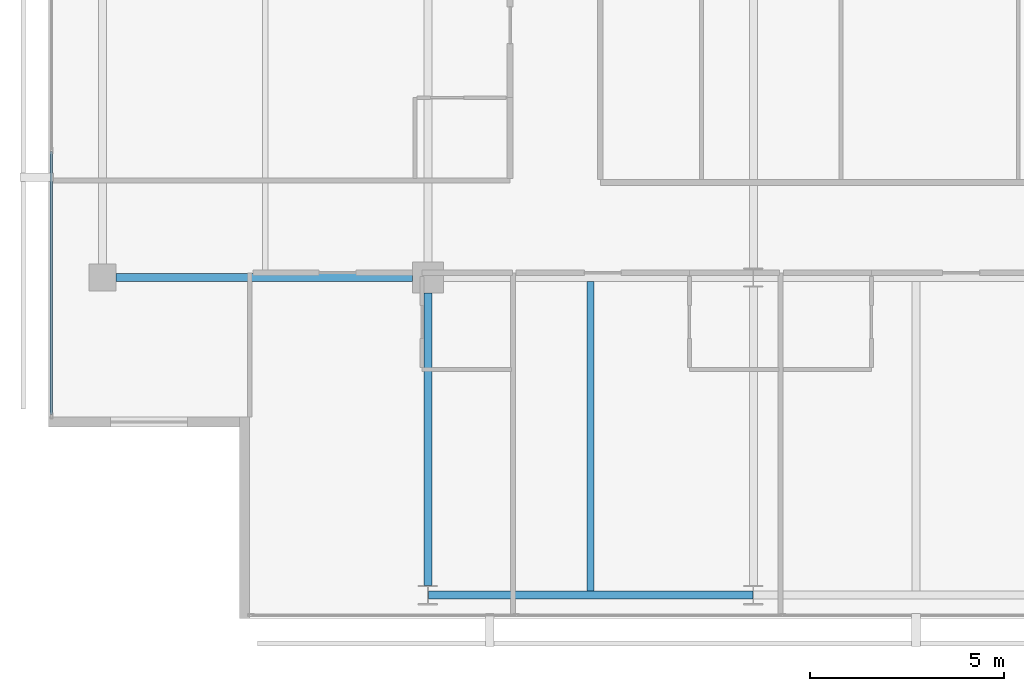
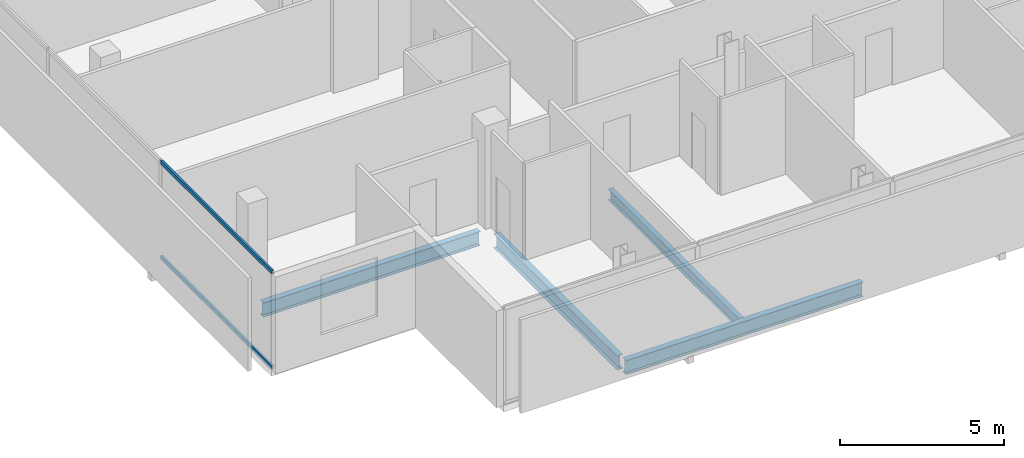
# One storey, part 3 of 25: 4 beams, 2 members, 1 element without a shape of its own.
"""IFC4 building model written with IfcOpenShell, lengths in metres."""

import ifcopenshell
import ifcopenshell.guid

model = None  # the IFC model being written
_history = None  # IfcOwnerHistory: only IFC2X3 demands one
_inside = {}  # id of a spatial element -> (the spatial element, [elements in it])
_under = {}  # id of a project, library or spatial element -> (it, [spatial elements below it])
_declared = {}  # id of a project -> (the project, [libraries it declares])
_typed = {}  # id of a type object -> (the type object, [elements of that type])
_made_of = {}  # id of a material, layer set ... -> (it, [elements and type objects made of it])


def new_model(schema):
    """Start an empty IFC model of exactly this schema.

    Asked for "IFC4X3", IfcOpenShell would pick the latest addendum, in which some entities
    have other attributes; the version numbers below select the first issue.
    IFC2X3 requires an IfcOwnerHistory on every rooted entity: one is made here for all.
    """
    global model, _history
    if schema == "IFC4X3":
        model = ifcopenshell.file(schema_version=(4, 3, 0, 0))
    else:
        model = ifcopenshell.file(schema=schema)
    _inside.clear()
    _under.clear()
    _declared.clear()
    _typed.clear()
    _made_of.clear()
    _history = None
    if model.schema == "IFC2X3":
        org = make("IfcOrganization", Name="unknown")
        user = make(
            "IfcPersonAndOrganization",
            ThePerson=make("IfcPerson", FamilyName="unknown"),
            TheOrganization=org,
        )
        app = make(
            "IfcApplication",
            ApplicationDeveloper=org,
            Version="unknown",
            ApplicationFullName="unknown",
            ApplicationIdentifier="unknown",
        )
        _history = make(
            "IfcOwnerHistory",
            OwningUser=user,
            OwningApplication=app,
            ChangeAction="ADDED",
            CreationDate=0,
        )
    return model


def make(cls, **values):
    """One entity of the class cls with the attributes given. An attribute that is None is left unset."""
    return model.create_entity(
        cls, **{name: value for name, value in values.items() if value is not None}
    )


def rooted(cls, **values):
    """An entity with a GlobalId (a new one), such as an element, a storey or a relation."""
    return make(cls, GlobalId=ifcopenshell.guid.new(), OwnerHistory=_history, **values)


def si_unit(unit_type, name, prefix=None):
    """IfcSIUnit, for example si_unit("LENGTHUNIT", "METRE", prefix="MILLI")."""
    return make("IfcSIUnit", UnitType=unit_type, Prefix=prefix, Name=name)


def assignment(units):
    """IfcUnitAssignment: the units of a project."""
    return None if units is None else make("IfcUnitAssignment", Units=units)


def point(xyz):
    """IfcCartesianPoint."""
    return None if xyz is None else make("IfcCartesianPoint", Coordinates=xyz)


def direction(xyz):
    """IfcDirection."""
    return None if xyz is None else make("IfcDirection", DirectionRatios=xyz)


def frame(location, z_axis=None, x_axis=None):
    """IfcAxis2Placement3D, a coordinate frame: its origin and axes. An axis left out is left unset."""
    return make(
        "IfcAxis2Placement3D",
        Location=point(location),
        Axis=direction(z_axis),
        RefDirection=direction(x_axis),
    )


def frame_2d(location, x_axis=None):
    """IfcAxis2Placement2D, a coordinate frame in the plane: its origin and x axis."""
    return make(
        "IfcAxis2Placement2D", Location=point(location), RefDirection=direction(x_axis)
    )


def origin():
    """The frame at (0, 0, 0) with its axes left unset."""
    return frame((0.0, 0.0, 0.0))


def origin_2d():
    """The frame at (0, 0) in the plane with its x axis left unset."""
    return frame_2d((0.0, 0.0))


def place(relative_to, where):
    """IfcLocalPlacement: puts the frame where relative to a parent placement (None: the world)."""
    return make(
        "IfcLocalPlacement", PlacementRelTo=relative_to, RelativePlacement=where
    )


def context(
    kind, dimensions, precision=None, world=None, true_north=None, identifier=None
):
    """IfcGeometricRepresentationContext, for example the 3D "Model" context."""
    return make(
        "IfcGeometricRepresentationContext",
        ContextIdentifier=identifier,
        ContextType=kind,
        CoordinateSpaceDimension=dimensions,
        Precision=precision,
        WorldCoordinateSystem=world,
        TrueNorth=true_north,
    )


def subcontext(parent, identifier, kind, view, scale=None):
    """IfcGeometricRepresentationSubContext, for example "Body" below "Model"."""
    return make(
        "IfcGeometricRepresentationSubContext",
        ContextIdentifier=identifier,
        ContextType=kind,
        ParentContext=parent,
        TargetScale=scale,
        TargetView=view,
    )


def project(units=None, contexts=None):
    """IfcProject with its units and contexts."""
    return rooted(
        "IfcProject",
        Name="project",
        RepresentationContexts=contexts,
        UnitsInContext=assignment(units),
    )


def spatial(cls, under=None, at=None, **own):
    """A site, building, storey or space (cls), placed at a placement, below another one or the project."""
    s = rooted(cls, ObjectPlacement=at, **own)
    if under is not None:
        _under.setdefault(under.id(), (under, []))[1].append(s)
    return s


def profile(cls, at=None, kind="AREA", **sizes):
    """A parametric profile (cls). Its sizes go by their IFC names, for example OverallWidth=200.0."""
    return make(cls, ProfileType=kind, Position=at, **sizes)


def hollow_rectangle(**sizes):
    """IfcRectangleHollowProfileDef."""
    return profile("IfcRectangleHollowProfileDef", **sizes)


def i_section(**sizes):
    """IfcIShapeProfileDef."""
    return profile("IfcIShapeProfileDef", **sizes)


def extrude(swept, where, along, depth):
    """IfcExtrudedAreaSolid: the profile swept, set in the frame where, extruded along a direction by depth."""
    return make(
        "IfcExtrudedAreaSolid",
        SweptArea=swept,
        Position=where,
        ExtrudedDirection=direction(along),
        Depth=depth,
    )


def shape(context_of_items, identifier, shape_type, items):
    """IfcShapeRepresentation: the items that make up one representation, for example the "Body"."""
    return make(
        "IfcShapeRepresentation",
        ContextOfItems=context_of_items,
        RepresentationIdentifier=identifier,
        RepresentationType=shape_type,
        Items=items,
    )


def material(Name=None, Category=None):
    """IfcMaterial."""
    return make("IfcMaterial", Name=Name, Category=Category)


def layer(
    of_material, thickness, ventilated=None, Name=None, Category=None, Priority=None
):
    """IfcMaterialLayer: one layer of a wall or slab, of a material (None: an air gap)."""
    return make(
        "IfcMaterialLayer",
        Material=of_material,
        LayerThickness=thickness,
        IsVentilated=ventilated,
        Name=Name,
        Category=Category,
        Priority=Priority,
    )


def layer_set(layers, Name=None):
    """IfcMaterialLayerSet."""
    return make("IfcMaterialLayerSet", MaterialLayers=layers, LayerSetName=Name)


def material_profile(
    of_material, cross_section, Name=None, Category=None, Priority=None
):
    """IfcMaterialProfile: a cross section and its material."""
    return make(
        "IfcMaterialProfile",
        Name=Name,
        Material=of_material,
        Profile=cross_section,
        Priority=Priority,
        Category=Category,
    )


def profile_set(profiles, Name=None, composite=None):
    """IfcMaterialProfileSet."""
    return make(
        "IfcMaterialProfileSet",
        Name=Name,
        MaterialProfiles=profiles,
        CompositeProfile=composite,
    )


def made_of(thing, what):
    """Note that an element or type object is made of a material, layer set ...; save() writes the relation."""
    if what is not None:
        _made_of.setdefault(what.id(), (what, []))[1].append(thing)
    return thing


def type_object(cls, material=None, **own):
    """A type object (cls), such as IfcWallType, which elements share."""
    return made_of(rooted(cls, **own), material)


def element(
    cls,
    number,
    at=None,
    inside=None,
    cuts=None,
    type_object=None,
    material=None,
    context=None,
    identifier="Body",
    shape_type=None,
    held_by="IfcProductDefinitionShape",
    body=None,
    shapes=None,
    **own,
):
    """One element of the class cls, such as IfcWall. Its Tag is "e" and its number.

    at: its placement. inside: the storey or other place that contains it. cuts: it is an
    opening in that element (IfcRelVoidsElement). A single representation is given by context,
    identifier, shape_type and body (its items); several are given by shapes. held_by: the class
    of the entity that holds the representations. save() writes the other relations.
    """
    e = rooted(cls, Tag="e%d" % number, ObjectPlacement=at, **own)
    if body is not None:
        shapes = [shape(context, identifier, shape_type, body)]
    if shapes is not None:
        e.Representation = make(held_by, Representations=shapes)
    if inside is not None:
        _inside.setdefault(inside.id(), (inside, []))[1].append(e)
    if cuts is not None:
        rooted(
            "IfcRelVoidsElement", RelatingBuildingElement=cuts, RelatedOpeningElement=e
        )
    if type_object is not None:
        _typed.setdefault(type_object.id(), (type_object, []))[1].append(e)
    return made_of(e, material)


def aggregate(whole, parts):
    """IfcRelAggregates: a whole, such as a stair, and the parts it consists of."""
    return rooted("IfcRelAggregates", RelatingObject=whole, RelatedObjects=parts)


def save(model, path):
    """Write the relations noted so far, then the file.

    IfcRelAggregates (storeys below a building ...), IfcRelContainedInSpatialStructure (elements
    in a storey), IfcRelDefinesByType, IfcRelAssociatesMaterial and IfcRelDeclares: one each for
    every whole, place, type object, material and project.
    """
    for whole, parts in _under.values():
        aggregate(whole, parts)
    for where, things in _inside.values():
        rooted(
            "IfcRelContainedInSpatialStructure",
            RelatedElements=things,
            RelatingStructure=where,
        )
    for kind, things in _typed.values():
        rooted("IfcRelDefinesByType", RelatedObjects=things, RelatingType=kind)
    for what, things in _made_of.values():
        rooted("IfcRelAssociatesMaterial", RelatedObjects=things, RelatingMaterial=what)
    for by, libraries in _declared.values():
        rooted("IfcRelDeclares", RelatingContext=by, RelatedDefinitions=libraries)
    model.write(path)


model = new_model("IFC4")

# Units and contexts
model_context = context("Model", 3, precision=1e-05, world=origin(), true_north=direction((0.0, 1.0)))
body_context = subcontext(model_context, "Body", "Model", "MODEL_VIEW")
ifc_project = project(units=[si_unit("LENGTHUNIT", "METRE"), si_unit("AREAUNIT", "SQUARE_METRE"), si_unit("VOLUMEUNIT", "CUBIC_METRE"), si_unit("PLANEANGLEUNIT", "RADIAN"), si_unit("MASSUNIT", "GRAM", prefix="KILO")], contexts=[model_context])

# Site, building, storey
site_placement = place(None, origin())
site = spatial("IfcSite", under=ifc_project, at=site_placement, CompositionType="ELEMENT")
building_placement = place(site_placement, origin())
building = spatial("IfcBuilding", under=site, at=building_placement, Name="Maruvema Waterfront Hotel and Observation Tower", CompositionType="ELEMENT")
storey_placement = place(building_placement, frame((0.0, 0.0, 270.199951171875)))
storey = spatial("IfcBuildingStorey", under=building, at=storey_placement, Name="L66", CompositionType="ELEMENT", Elevation=270.199951171875)

# Curtain wall, members
ifc_material_1 = material(Name="Anodised bronze aluminium and solar-control low-E IGU", Category="aluminium")
ifc_layer = layer(ifc_material_1, 0.159912109375, Name="Zone 3 Champagne Inner Thermal Curtain Wall System CW-04")
ifc_layer_set = layer_set([ifc_layer], Name="Anodised bronze aluminium and solar-control low-E IGU")
curtain_wall_type = type_object("IfcCurtainWallType", Name="Zone 3 Champagne Inner Thermal Curtain Wall System CW-04", PredefinedType="USERDEFINED", material=ifc_layer_set)
curtain_wall_placement = place(storey_placement, origin())
curtain_wall = element("IfcCurtainWall", 1, at=curtain_wall_placement, inside=storey, type_object=curtain_wall_type, Name="L66 Curtain Wall CW-L66-W", ObjectType="UNITISED CURTAIN WALL", PredefinedType="USERDEFINED")
ifc_material_2 = material(Name="Anodised architectural bronze aluminium", Category="aluminium")
ifc_material_profile_1 = material_profile(ifc_material_2, hollow_rectangle(XDim=0.070068359375, YDim=0.14990234375, WallThickness=0.00390625, at=origin_2d()), Name="ALU-T70x150")
ifc_profile_set_1 = profile_set([ifc_material_profile_1], Name="Anodised architectural bronze aluminium")
member_type = type_object("IfcMemberType", Name="Curtain Wall Horizontal Transom ALU-T70x150", PredefinedType="USERDEFINED", material=ifc_profile_set_1)
member_1_placement = place(storey_placement, frame((15.47998046875, 21.25, 0.030029296875), z_axis=(0.0, -1.0, 0.0), x_axis=(1.0, 0.0, 0.0)))
member_1 = element("IfcMember", 2, at=member_1_placement, type_object=member_type, Name="CW-04 transom 5.1", ObjectType="TRANSOM", PredefinedType="USERDEFINED", context=body_context, shape_type="SweptSolid", body=[
    extrude(hollow_rectangle(XDim=0.070068359375, YDim=0.14990234375, WallThickness=0.00390625, at=origin_2d()), origin(), (0.0, 0.0, 1.0), 6.7900390625),
])
member_2_placement = place(storey_placement, frame((15.47998046875, 21.25, 3.580078125), z_axis=(0.0, -1.0, 0.0), x_axis=(1.0, 0.0, 0.0)))
member_2 = element("IfcMember", 3, at=member_2_placement, type_object=member_type, Name="CW-04 transom 5.2", ObjectType="TRANSOM", PredefinedType="USERDEFINED", context=body_context, shape_type="SweptSolid", body=[
    extrude(hollow_rectangle(XDim=0.070068359375, YDim=0.14990234375, WallThickness=0.00390625, at=origin_2d()), origin(), (0.0, 0.0, 1.0), 6.7900390625),
])
aggregate(curtain_wall, [member_1, member_2])

# Beams
ifc_material_3 = material(Name="Steel ASTM A572 Grade 50", Category="steel")
ifc_material_profile_2 = material_profile(ifc_material_3, i_section(OverallWidth=0.208984375, OverallDepth=0.532958984375, WebThickness=0.01025390625, FlangeThickness=0.015625, FilletRadius=0.014892578125, at=origin_2d()), Name="W530x92.0")
ifc_profile_set_2 = profile_set([ifc_material_profile_2], Name="Steel ASTM A572 Grade 50")
beam_type_1 = type_object("IfcBeamType", Name="Primary Floor Girder W530x92.0", PredefinedType="BEAM", material=ifc_profile_set_2)
beam_1_placement = place(storey_placement, frame((25.2109375, 9.800048828125, -0.50634765625), z_axis=(1.0, 0.0, 0.0), x_axis=(0.0, 1.0, 0.0)))
element("IfcBeam", 4, at=beam_1_placement, inside=storey, type_object=beam_type_1, Name="L66 Floor Girder EW-01", PredefinedType="BEAM", context=body_context, shape_type="SweptSolid", body=[
    extrude(i_section(OverallWidth=0.208984375, OverallDepth=0.532958984375, WebThickness=0.01025390625, FlangeThickness=0.015625, FilletRadius=0.014892578125, at=origin_2d()), origin(), (0.0, 0.0, 1.0), 8.378173828125),
])
beam_2_placement = place(storey_placement, frame((17.14990234375, 18.0, -0.50634765625), z_axis=(1.0, 0.0, 0.0), x_axis=(0.0, 1.0, 0.0)))
element("IfcBeam", 5, at=beam_2_placement, inside=storey, type_object=beam_type_1, Name="L66 Floor Girder EW-04", PredefinedType="BEAM", context=body_context, shape_type="SweptSolid", body=[
    extrude(i_section(OverallWidth=0.208984375, OverallDepth=0.532958984375, WebThickness=0.01025390625, FlangeThickness=0.015625, FilletRadius=0.014892578125, at=origin_2d()), origin(), (0.0, 0.0, 1.0), 7.650146484375),
])
beam_3_placement = place(storey_placement, frame((25.199951171875, 10.050048828125, -0.50634765625), z_axis=(0.0, 1.0, 0.0), x_axis=(-1.0, 0.0, 0.0)))
element("IfcBeam", 6, at=beam_3_placement, inside=storey, type_object=beam_type_1, Name="L66 Floor Girder NS-04", PredefinedType="BEAM", context=body_context, shape_type="SweptSolid", body=[
    extrude(i_section(OverallWidth=0.208984375, OverallDepth=0.532958984375, WebThickness=0.01025390625, FlangeThickness=0.015625, FilletRadius=0.014892578125, at=origin_2d()), origin(), (0.0, 0.0, 1.0), 7.550048828125),
])
ifc_material_4 = material(Name="Steel ASTM A572 Grade 50", Category="steel")
ifc_material_profile_3 = material_profile(ifc_material_4, i_section(OverallWidth=0.177001953125, OverallDepth=0.403076171875, WebThickness=0.007568359375, FlangeThickness=0.010986328125, FilletRadius=0.014892578125, at=origin_2d()), Name="W410x53.0")
ifc_profile_set_3 = profile_set([ifc_material_profile_3], Name="Steel ASTM A572 Grade 50")
beam_type_2 = type_object("IfcBeamType", Name="Secondary Floor Joist W410x53.0", PredefinedType="JOIST", material=ifc_profile_set_3)
beam_4_placement = place(storey_placement, frame((29.39990234375, 9.904541015625, -0.44140625), z_axis=(0.0, 1.0, 0.0), x_axis=(-1.0, 0.0, 0.0)))
element("IfcBeam", 7, at=beam_4_placement, inside=storey, type_object=beam_type_2, Name="L66 Secondary Floor Joist JS-04", PredefinedType="JOIST", context=body_context, shape_type="SweptSolid", body=[
    extrude(i_section(OverallWidth=0.177001953125, OverallDepth=0.403076171875, WebThickness=0.007568359375, FlangeThickness=0.010986328125, FilletRadius=0.014892578125, at=origin_2d()), origin(), (0.0, 0.0, 1.0), 7.990966796875),
])

save(model, "model.ifc")
